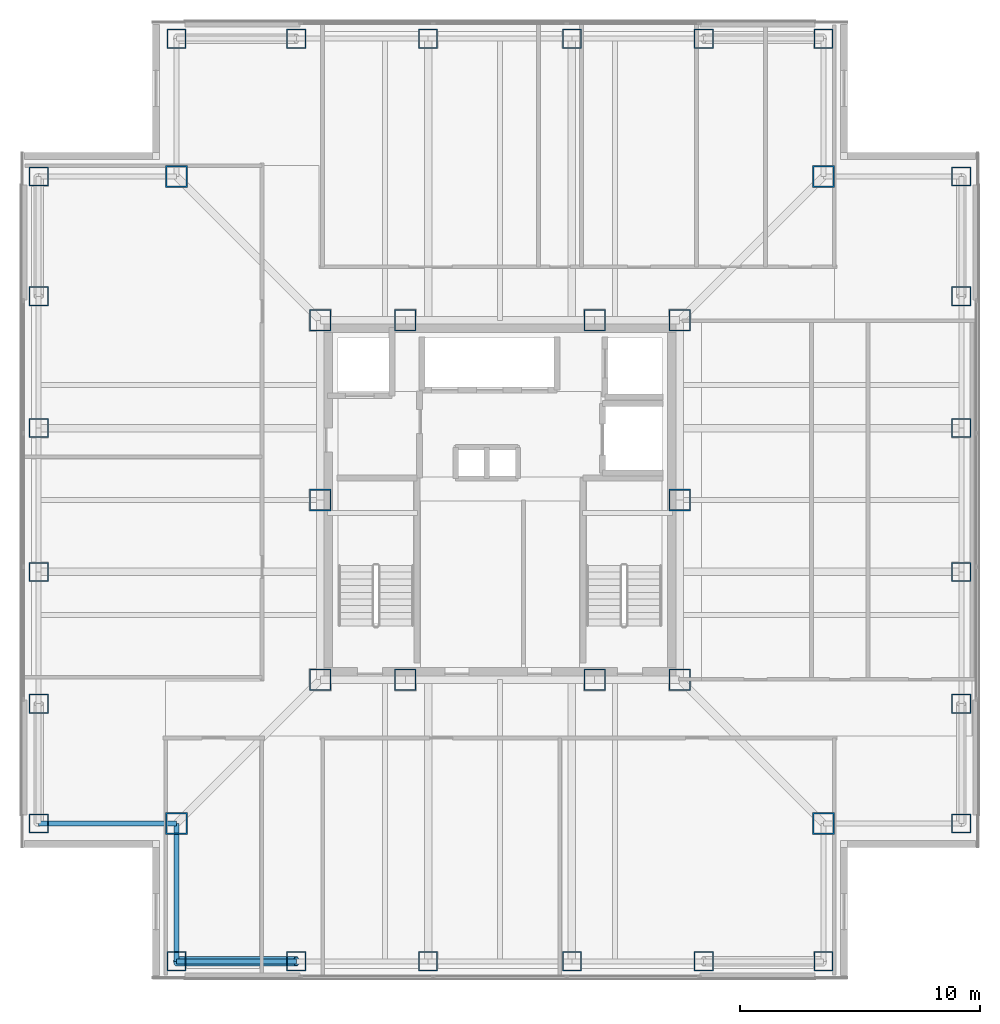
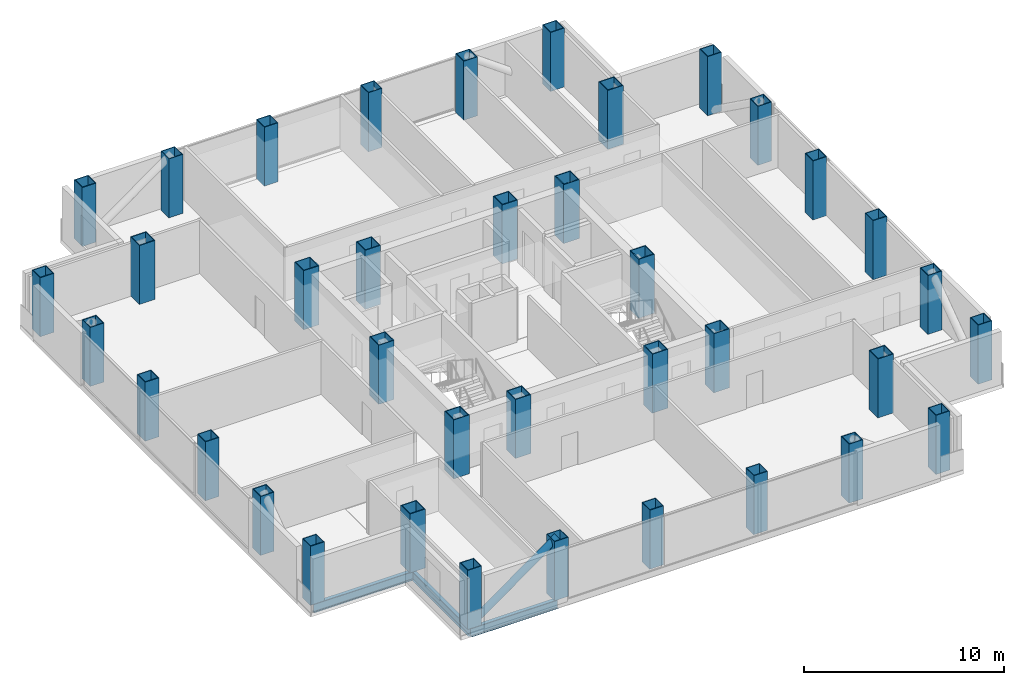
# One storey, part 1 of 16: 38 columns, 3 beams, 1 member.
"""IFC4 building model written with IfcOpenShell, lengths in metres."""

from ifc_helpers import new_model, si_unit, direction, frame, origin, origin_2d, place, context, subcontext, project, spatial, hollow_rectangle, hollow_circle, i_section, extrude, material, material_profile, profile_set, type_object, element, save


model = new_model("IFC4")

# Units and contexts
model_context = context("Model", 3, precision=1e-05, world=origin(), true_north=direction((0.0, 1.0)))
body_context = subcontext(model_context, "Body", "Model", "MODEL_VIEW")
ifc_project = project(units=[si_unit("LENGTHUNIT", "METRE"), si_unit("AREAUNIT", "SQUARE_METRE"), si_unit("VOLUMEUNIT", "CUBIC_METRE"), si_unit("PLANEANGLEUNIT", "RADIAN"), si_unit("MASSUNIT", "GRAM", prefix="KILO")], contexts=[model_context])

# Site, building, storey
site_placement = place(None, origin())
site = spatial("IfcSite", under=ifc_project, at=site_placement, CompositionType="ELEMENT")
building_placement = place(site_placement, origin())
building = spatial("IfcBuilding", under=site, at=building_placement, Name="Trevonay Congress Spire", CompositionType="ELEMENT")
storey_placement = place(building_placement, frame((0.0, 0.0, 223.800048828125)))
storey = spatial("IfcBuildingStorey", under=building, at=storey_placement, Name="L58", CompositionType="ELEMENT", Elevation=223.800048828125)

# Columns
ifc_material_1 = material(Name="Steel ASTM A572 Grade 50", Category="steel")
ifc_material_profile_1 = material_profile(ifc_material_1, hollow_rectangle(XDim=0.89990234375, YDim=0.89990234375, WallThickness=0.044921875, at=origin_2d()), Name="BOX 900x900x45")
ifc_profile_set_1 = profile_set([ifc_material_profile_1], Name="Steel ASTM A572 Grade 50")
column_type_1 = type_object("IfcColumnType", Name="COL-CORE-BOX900", PredefinedType="COLUMN", material=ifc_profile_set_1)
for number, where, z_axis, x_axis, name in (
    (1, (-7.5, -7.5, 0.0), (0.0, 0.0, 1.0), (1.0, 0.0, 0.0), "L58 column C04 at CC-SW"),
    (2, (-3.949951171875, -7.5, 0.0), (0.0, 0.0, 1.0), (1.0, 0.0, 0.0), "L58 column C04 at CC-SMW"),
    (3, (3.949951171875, -7.5, 0.0), (0.0, 0.0, 1.0), (1.0, 0.0, 0.0), "L58 column C04 at CC-SME"),
    (4, (7.5, -7.5, 0.0), (0.0, 0.0, 1.0), (1.0, 0.0, 0.0), "L58 column C04 at CC-SE"),
    (5, (7.5, 0.0, 0.0), (0.0, 0.0, 1.0), (1.0, 0.0, 0.0), "L58 column C04 at CC-E"),
    (6, (7.5, 7.5, 0.0), (0.0, 0.0, 1.0), (1.0, 0.0, 0.0), "L58 column C04 at CC-NE"),
    (7, (3.949951171875, 7.5, 0.0), (0.0, 0.0, 1.0), (1.0, 0.0, 0.0), "L58 column C04 at CC-NME"),
    (8, (-3.949951171875, 7.5, 0.0), (0.0, 0.0, 1.0), (1.0, 0.0, 0.0), "L58 column C04 at CC-NMW"),
    (9, (-7.5, 7.5, 0.0), (0.0, 0.0, 1.0), (1.0, 0.0, 0.0), "L58 column C04 at CC-NW"),
    (10, (-7.5, 0.0, 0.0), (0.0, 0.0, 1.0), (1.0, 0.0, 0.0), "L58 column C04 at CC-W"),
):
    element("IfcColumn", number, at=place(storey_placement, frame(where, z_axis=z_axis, x_axis=x_axis)), inside=storey, type_object=column_type_1, Name=name, PredefinedType="COLUMN", context=body_context, shape_type="SweptSolid", body=[
        extrude(hollow_rectangle(XDim=0.89990234375, YDim=0.89990234375, WallThickness=0.044921875, at=origin_2d()), origin(), (0.0, 0.0, 1.0), 3.599853515625),
    ])
ifc_material_profile_2 = material_profile(ifc_material_1, hollow_rectangle(XDim=0.800048828125, YDim=0.800048828125, WallThickness=0.0400390625, at=origin_2d()), Name="BOX 800x800x40")
ifc_profile_set_2 = profile_set([ifc_material_profile_2], Name="Steel ASTM A572 Grade 50")
column_type_2 = type_object("IfcColumnType", Name="COL-TUBE-BOX800", PredefinedType="COLUMN", material=ifc_profile_set_2)
for number, where, z_axis, x_axis, name in (
    (11, (-13.5, -19.25, 0.0), (0.0, 0.0, 1.0), (1.0, 0.0, 0.0), "L58 column C16 at TS-1"),
    (12, (-13.5, 19.25, 0.0), (0.0, 0.0, 1.0), (1.0, 0.0, 0.0), "L58 column C16 at TN-1"),
    (13, (-19.25, -13.5, 0.0), (0.0, 0.0, 1.0), (1.0, 0.0, 0.0), "L58 column C16 at TW-1"),
    (14, (19.25, -13.5, 0.0), (0.0, 0.0, 1.0), (1.0, 0.0, 0.0), "L58 column C16 at TE-1"),
    (15, (-8.5, -19.25, 0.0), (0.0, 0.0, 1.0), (1.0, 0.0, 0.0), "L58 column C16 at TS-2"),
    (16, (-8.5, 19.25, 0.0), (0.0, 0.0, 1.0), (1.0, 0.0, 0.0), "L58 column C16 at TN-2"),
    (17, (-19.25, -8.5, 0.0), (0.0, 0.0, 1.0), (1.0, 0.0, 0.0), "L58 column C16 at TW-2"),
    (18, (19.25, -8.5, 0.0), (0.0, 0.0, 1.0), (1.0, 0.0, 0.0), "L58 column C16 at TE-2"),
    (19, (-3.0, -19.25, 0.0), (0.0, 0.0, 1.0), (1.0, 0.0, 0.0), "L58 column C16 at TS-3"),
    (20, (-3.0, 19.25, 0.0), (0.0, 0.0, 1.0), (1.0, 0.0, 0.0), "L58 column C16 at TN-3"),
    (21, (-19.25, -3.0, 0.0), (0.0, 0.0, 1.0), (1.0, 0.0, 0.0), "L58 column C16 at TW-3"),
    (22, (19.25, -3.0, 0.0), (0.0, 0.0, 1.0), (1.0, 0.0, 0.0), "L58 column C16 at TE-3"),
    (23, (3.0, -19.25, 0.0), (0.0, 0.0, 1.0), (1.0, 0.0, 0.0), "L58 column C16 at TS-4"),
    (24, (3.0, 19.25, 0.0), (0.0, 0.0, 1.0), (1.0, 0.0, 0.0), "L58 column C16 at TN-4"),
    (25, (-19.25, 3.0, 0.0), (0.0, 0.0, 1.0), (1.0, 0.0, 0.0), "L58 column C16 at TW-4"),
    (26, (19.25, 3.0, 0.0), (0.0, 0.0, 1.0), (1.0, 0.0, 0.0), "L58 column C16 at TE-4"),
    (27, (8.5, -19.25, 0.0), (0.0, 0.0, 1.0), (1.0, 0.0, 0.0), "L58 column C16 at TS-5"),
    (28, (8.5, 19.25, 0.0), (0.0, 0.0, 1.0), (1.0, 0.0, 0.0), "L58 column C16 at TN-5"),
    (29, (-19.25, 8.5, 0.0), (0.0, 0.0, 1.0), (1.0, 0.0, 0.0), "L58 column C16 at TW-5"),
    (30, (19.25, 8.5, 0.0), (0.0, 0.0, 1.0), (1.0, 0.0, 0.0), "L58 column C16 at TE-5"),
    (31, (13.5, -19.25, 0.0), (0.0, 0.0, 1.0), (1.0, 0.0, 0.0), "L58 column C16 at TS-6"),
    (32, (13.5, 19.25, 0.0), (0.0, 0.0, 1.0), (1.0, 0.0, 0.0), "L58 column C16 at TN-6"),
    (33, (-19.25, 13.5, 0.0), (0.0, 0.0, 1.0), (1.0, 0.0, 0.0), "L58 column C16 at TW-6"),
    (34, (19.25, 13.5, 0.0), (0.0, 0.0, 1.0), (1.0, 0.0, 0.0), "L58 column C16 at TE-6"),
):
    element("IfcColumn", number, at=place(storey_placement, frame(where, z_axis=z_axis, x_axis=x_axis)), inside=storey, type_object=column_type_2, Name=name, PredefinedType="COLUMN", context=body_context, shape_type="SweptSolid", body=[
        extrude(hollow_rectangle(XDim=0.800048828125, YDim=0.800048828125, WallThickness=0.0400390625, at=origin_2d()), origin(), (0.0, 0.0, 1.0), 3.599853515625),
    ])
ifc_material_profile_3 = material_profile(ifc_material_1, hollow_rectangle(XDim=0.89990234375, YDim=0.89990234375, WallThickness=0.044921875, at=origin_2d()), Name="BOX 900x900x45")
ifc_profile_set_3 = profile_set([ifc_material_profile_3], Name="Steel ASTM A572 Grade 50")
column_type_3 = type_object("IfcColumnType", Name="COL-TUBE-BOX900", PredefinedType="COLUMN", material=ifc_profile_set_3)
for number, where, z_axis, x_axis, name in (
    (35, (-13.5, -13.5, 0.0), (0.0, 0.0, 1.0), (1.0, 0.0, 0.0), "L58 column C15 at NC-SW"),
    (36, (13.5, -13.5, 0.0), (0.0, 0.0, 1.0), (1.0, 0.0, 0.0), "L58 column C15 at NC-SE"),
    (37, (13.5, 13.5, 0.0), (0.0, 0.0, 1.0), (1.0, 0.0, 0.0), "L58 column C15 at NC-NE"),
    (38, (-13.5, 13.5, 0.0), (0.0, 0.0, 1.0), (1.0, 0.0, 0.0), "L58 column C15 at NC-NW"),
):
    element("IfcColumn", number, at=place(storey_placement, frame(where, z_axis=z_axis, x_axis=x_axis)), inside=storey, type_object=column_type_3, Name=name, PredefinedType="COLUMN", context=body_context, shape_type="SweptSolid", body=[
        extrude(hollow_rectangle(XDim=0.89990234375, YDim=0.89990234375, WallThickness=0.044921875, at=origin_2d()), origin(), (0.0, 0.0, 1.0), 3.599853515625),
    ])

# Beams
ifc_material_profile_4 = material_profile(ifc_material_1, i_section(OverallWidth=0.2119140625, OverallDepth=0.5439453125, WebThickness=0.01318359375, FlangeThickness=0.021240234375, FilletRadius=0.014892578125, at=origin_2d()), Name="W530x123")
ifc_profile_set_4 = profile_set([ifc_material_profile_4], Name="Steel ASTM A572 Grade 50")
beam_type = type_object("IfcBeamType", Name="BM-RING-W530X123", PredefinedType="BEAM", material=ifc_profile_set_4)
beam_placement = place(storey_placement, frame((-13.5, -19.25, -0.511962890625), z_axis=(1.0, 0.0, 0.0), x_axis=(0.0, 1.0, 0.0)))
element("IfcBeam", 39, at=beam_placement, inside=storey, type_object=beam_type, Name="L58 structural beam BM-L58-PS1", PredefinedType="BEAM", context=body_context, shape_type="SweptSolid", body=[
    extrude(i_section(OverallWidth=0.2119140625, OverallDepth=0.5439453125, WebThickness=0.01318359375, FlangeThickness=0.021240234375, FilletRadius=0.014892578125, at=origin_2d()), origin(), (0.0, 0.0, 1.0), 5.0),
])
for number, where, z_axis, x_axis, name in (
    (40, (-13.5, -19.25, -0.511962890625), (0.0, 1.0, 0.0), (-1.0, 0.0, 0.0), "L58 structural beam BM-L58-N1SW"),
    (41, (-19.25, -13.5, -0.511962890625), (1.0, 0.0, 0.0), (0.0, 1.0, 0.0), "L58 structural beam BM-L58-N2SW"),
):
    element("IfcBeam", number, at=place(storey_placement, frame(where, z_axis=z_axis, x_axis=x_axis)), inside=storey, type_object=beam_type, Name=name, PredefinedType="BEAM", context=body_context, shape_type="SweptSolid", body=[
        extrude(i_section(OverallWidth=0.2119140625, OverallDepth=0.5439453125, WebThickness=0.01318359375, FlangeThickness=0.021240234375, FilletRadius=0.014892578125, at=origin_2d()), origin(), (0.0, 0.0, 1.0), 5.75),
    ])

# Member
ifc_material_2 = material(Name="Steel ASTM A500 Grade C", Category="steel")
ifc_material_profile_5 = material_profile(ifc_material_2, hollow_circle(Radius=0.203125, WallThickness=0.02001953125, at=origin_2d()), Name="CHS 406.4x20")
ifc_profile_set_5 = profile_set([ifc_material_profile_5], Name="Steel ASTM A500 Grade C")
member_type = type_object("IfcMemberType", Name="MBR-TUBE-CHS406", PredefinedType="BRACE", material=ifc_profile_set_5)
member_placement = place(storey_placement, frame((-13.5, -19.25, -0.050048828125), z_axis=(0.811526825515, 0.0, 0.584315164504), x_axis=(0.0, 1.0, 0.0)))
element("IfcMember", 42, at=member_placement, inside=storey, type_object=member_type, Name="L58 perimeter braced-tube diagonal S0", PredefinedType="BRACE", context=body_context, shape_type="SweptSolid", body=[
    extrude(hollow_circle(Radius=0.203125, WallThickness=0.02001953125, at=origin_2d()), origin(), (0.0, 0.0, 1.0), 6.1611328125),
])

save(model, "model.ifc")
